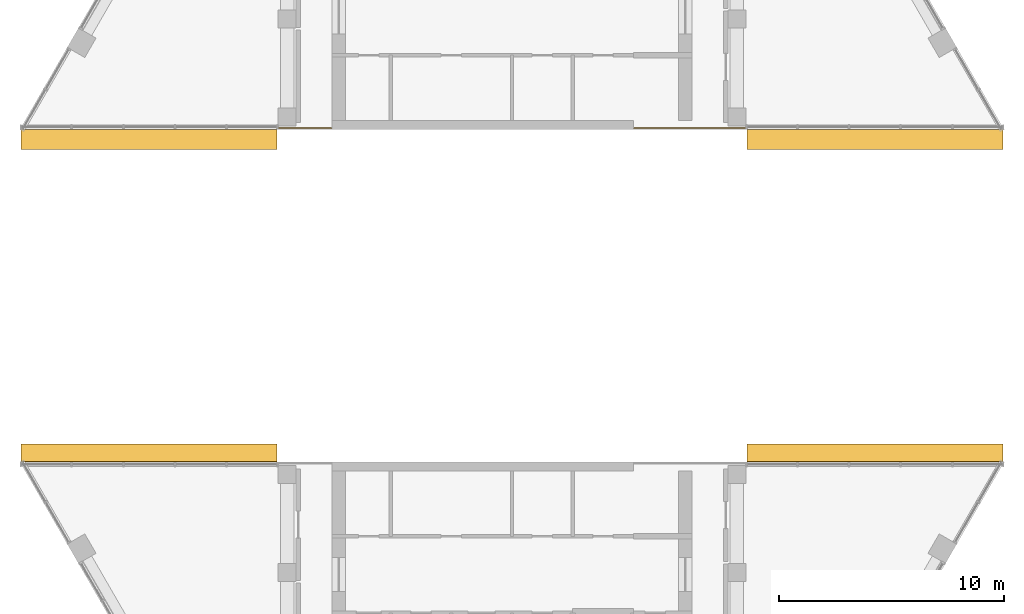
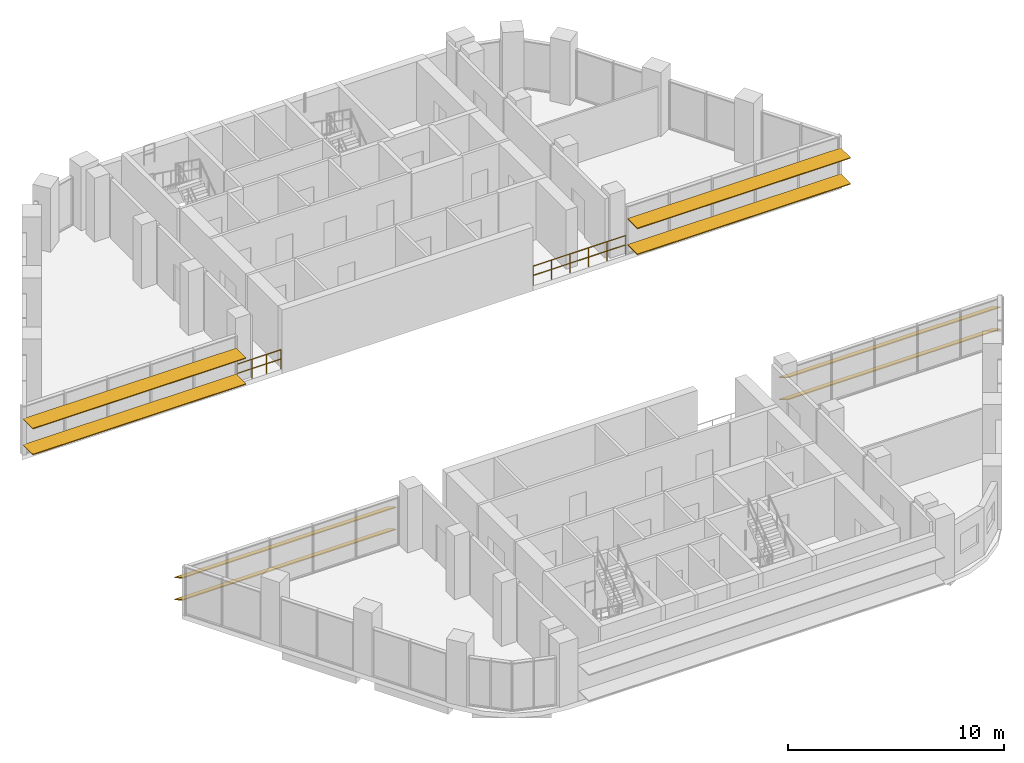
# One storey, part 13 of 14: 8 shading devices, 2 railings.
"""IFC4 building model written with IfcOpenShell, lengths in metres."""

from ifc_helpers import new_model, si_unit, direction, frame, origin, origin_2d, place, context, subcontext, project, spatial, rectangle, circle, extrude, material, material_profile, profile_set, type_object, element, save


model = new_model("IFC4")

# Units and contexts
model_context = context("Model", 3, precision=1e-05, world=origin(), true_north=direction((0.0, 1.0)))
body_context = subcontext(model_context, "Body", "Model", "MODEL_VIEW")
ifc_project = project(units=[si_unit("LENGTHUNIT", "METRE"), si_unit("AREAUNIT", "SQUARE_METRE"), si_unit("VOLUMEUNIT", "CUBIC_METRE"), si_unit("PLANEANGLEUNIT", "RADIAN"), si_unit("MASSUNIT", "GRAM", prefix="KILO")], contexts=[model_context])

# Site, building, storey
site_placement = place(None, origin())
site = spatial("IfcSite", under=ifc_project, at=site_placement, CompositionType="ELEMENT")
building_placement = place(site_placement, origin())
building = spatial("IfcBuilding", under=site, at=building_placement, Name="Nakaniwa Court", CompositionType="ELEMENT")
storey_placement = place(building_placement, frame((0.0, 0.0, 279.60009765625)))
storey = spatial("IfcBuildingStorey", under=building, at=storey_placement, Name="C03", CompositionType="ELEMENT", Elevation=279.60009765625)

# Shading devices
ifc_material_1 = material(Name="Perforated charcoal ceramic louvre blade")
ifc_material_profile = material_profile(ifc_material_1, rectangle(XDim=0.89990234375, YDim=0.050048828125, at=origin_2d()), Name="Perforated ceramic louvre blade")
ifc_profile_set = profile_set([ifc_material_profile], Name="Perforated charcoal ceramic louvre blade")
shading_device_type = type_object("IfcShadingDeviceType", Name="Perforated ceramic louvre blade", PredefinedType="JALOUSIE", material=ifc_profile_set)
for number, where, z_axis, x_axis, name in (
    (1, (101.83154296875, 73.002197265625, 0.5498046875), (-1.0, 0.0, 0.0), (0.0, -0.866025403784, 0.5), "C03 perforated ceramic louvre blade w03 1"),
    (2, (101.83154296875, 73.002197265625, 1.793212890625), (-1.0, 0.0, 0.0), (0.0, -0.866025403784, 0.5), "C03 perforated ceramic louvre blade w03 2"),
    (3, (69.553955078125, 73.002197265625, 0.5498046875), (-1.0, 0.0, 0.0), (0.0, -0.866025403784, 0.5), "C03 perforated ceramic louvre blade w04 1"),
    (4, (69.553955078125, 73.002197265625, 1.793212890625), (-1.0, 0.0, 0.0), (0.0, -0.866025403784, 0.5), "C03 perforated ceramic louvre blade w04 2"),
    (5, (58.16845703125, 86.949951171875, 0.5498046875), (1.0, 0.0, 0.0), (0.0, 1.0, 0.0), "C03 perforated ceramic louvre blade w16 1"),
    (6, (58.16845703125, 86.949951171875, 2.014892578125), (1.0, 0.0, 0.0), (0.0, 1.0, 0.0), "C03 perforated ceramic louvre blade w16 2"),
    (7, (90.446044921875, 86.949951171875, 0.5498046875), (1.0, 0.0, 0.0), (0.0, 1.0, 0.0), "C03 perforated ceramic louvre blade w17 1"),
    (8, (90.446044921875, 86.949951171875, 2.014892578125), (1.0, 0.0, 0.0), (0.0, 1.0, 0.0), "C03 perforated ceramic louvre blade w17 2"),
):
    element("IfcShadingDevice", number, at=place(storey_placement, frame(where, z_axis=z_axis, x_axis=x_axis)), inside=storey, type_object=shading_device_type, Name=name, PredefinedType="JALOUSIE", context=body_context, shape_type="SweptSolid", body=[
        extrude(rectangle(XDim=0.89990234375, YDim=0.050048828125, at=origin_2d()), origin(), (0.0, 0.0, 1.0), 11.385498046875),
    ])

# Railings
ifc_material_2 = material(Name="Black powder coated steel guard", Category="steel")
railing_type = type_object("IfcRailingType", Name="Stair guard 1100", PredefinedType="GUARDRAIL", material=ifc_material_2)
railing_1_placement = place(storey_placement, frame((90.374755859375, 87.449951171875, 0.0)))
element("IfcRailing", 9, at=railing_1_placement, inside=storey, type_object=railing_type, Name="GUARD GD-C03-167", PredefinedType="GUARDRAIL", context=body_context, shape_type="SweptSolid", body=[
    extrude(circle(Radius=0.02392578125, at=origin_2d()), frame((0.0, 0.0, 1.076171875), z_axis=(-1.0, 0.0, 0.0), x_axis=(0.0, -1.0, 0.0)), (0.0, 0.0, 1.0), 4.95556640625),
    extrude(circle(Radius=0.02392578125, at=origin_2d()), frame((0.0, 0.0, 0.550048828125), z_axis=(-1.0, 0.0, 0.0), x_axis=(0.0, -1.0, 0.0)), (0.0, 0.0, 1.0), 4.95556640625),
    extrude(circle(Radius=0.02099609375, at=origin_2d()), origin(), (0.0, 0.0, 1.0), 1.052001953125),
    extrude(circle(Radius=0.02099609375, at=origin_2d()), frame((-0.9912109375, 0.0, 0.0)), (0.0, 0.0, 1.0), 1.052001953125),
    extrude(circle(Radius=0.02099609375, at=origin_2d()), frame((-1.982177734375, 0.0, 0.0)), (0.0, 0.0, 1.0), 1.052001953125),
    extrude(circle(Radius=0.02099609375, at=origin_2d()), frame((-2.973388671875, 0.0, 0.0)), (0.0, 0.0, 1.0), 1.052001953125),
    extrude(circle(Radius=0.02099609375, at=origin_2d()), frame((-3.96435546875, 0.0, 0.0)), (0.0, 0.0, 1.0), 1.052001953125),
    extrude(circle(Radius=0.02099609375, at=origin_2d()), frame((-4.95556640625, 0.0, 0.0)), (0.0, 0.0, 1.0), 1.052001953125),
])
railing_2_placement = place(storey_placement, frame((71.974365234375, 87.449951171875, 0.0)))
element("IfcRailing", 10, at=railing_2_placement, inside=storey, type_object=railing_type, Name="GUARD GD-C03-168", PredefinedType="GUARDRAIL", context=body_context, shape_type="SweptSolid", body=[
    extrude(circle(Radius=0.02392578125, at=origin_2d()), frame((0.0, 0.0, 1.076171875), z_axis=(-1.0, 0.0, 0.0), x_axis=(0.0, -1.0, 0.0)), (0.0, 0.0, 1.0), 2.34912109375),
    extrude(circle(Radius=0.02392578125, at=origin_2d()), frame((0.0, 0.0, 0.550048828125), z_axis=(-1.0, 0.0, 0.0), x_axis=(0.0, -1.0, 0.0)), (0.0, 0.0, 1.0), 2.34912109375),
    extrude(circle(Radius=0.02099609375, at=origin_2d()), origin(), (0.0, 0.0, 1.0), 1.052001953125),
    extrude(circle(Radius=0.02099609375, at=origin_2d()), frame((-0.782958984375, 0.0, 0.0)), (0.0, 0.0, 1.0), 1.052001953125),
    extrude(circle(Radius=0.02099609375, at=origin_2d()), frame((-1.566162109375, 0.0, 0.0)), (0.0, 0.0, 1.0), 1.052001953125),
    extrude(circle(Radius=0.02099609375, at=origin_2d()), frame((-2.34912109375, 0.0, 0.0)), (0.0, 0.0, 1.0), 1.052001953125),
])

save(model, "model.ifc")
